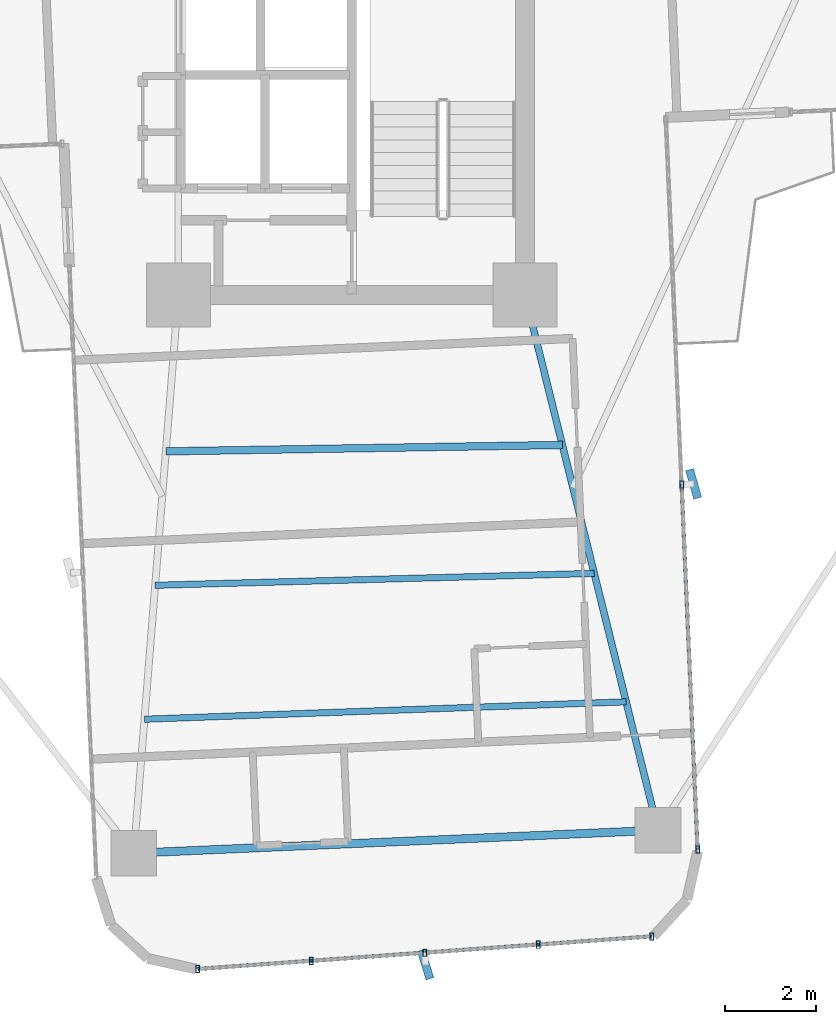
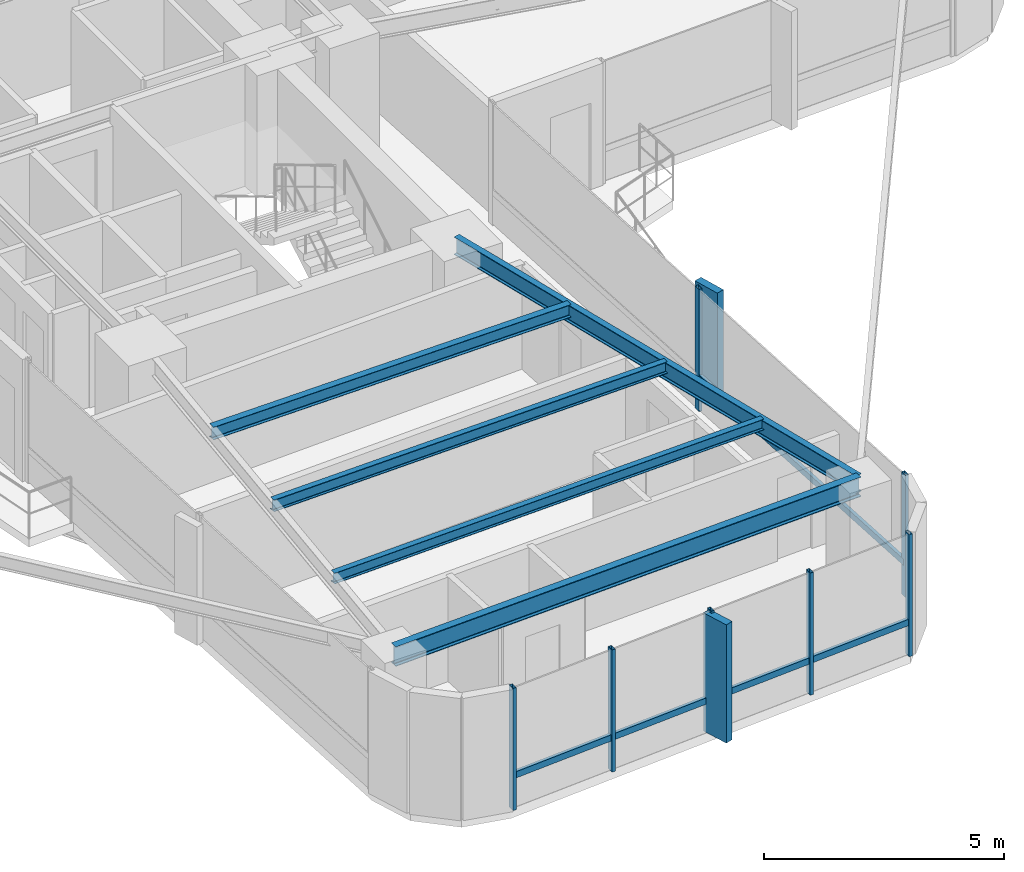
# One storey, part 6 of 27: 14 members, 5 beams, 2 elements without a shape of their own.
"""IFC4 building model written with IfcOpenShell, lengths in metres."""

from ifc_helpers import new_model, si_unit, direction, frame, origin, origin_2d, place, context, subcontext, project, spatial, rectangle, hollow_rectangle, i_section, extrude, source, transform, mapped, material, material_profile, profile_set, type_object, element, aggregate, save


model = new_model("IFC4")

# Units and contexts
model_context = context("Model", 3, precision=1e-05, world=origin(), true_north=direction((0.0, 1.0)))
body_context = subcontext(model_context, "Body", "Model", "MODEL_VIEW")
ifc_project = project(units=[si_unit("LENGTHUNIT", "METRE"), si_unit("AREAUNIT", "SQUARE_METRE"), si_unit("VOLUMEUNIT", "CUBIC_METRE"), si_unit("PLANEANGLEUNIT", "RADIAN"), si_unit("MASSUNIT", "GRAM", prefix="KILO")], contexts=[model_context])

# Site, building, storey
site_placement = place(None, origin())
site = spatial("IfcSite", under=ifc_project, at=site_placement, CompositionType="ELEMENT")
building_placement = place(site_placement, origin())
building = spatial("IfcBuilding", under=site, at=building_placement, Name="Sahyath Konkavel Grand Hotel", CompositionType="ELEMENT")
storey_placement = place(building_placement, frame((0.0, 0.0, 90.199951171875)))
storey = spatial("IfcBuildingStorey", under=building, at=storey_placement, Name="L24", CompositionType="ELEMENT", Elevation=90.199951171875)

# Beams
ifc_material_1 = material(Name="Steel E350", Category="steel")
ifc_material_profile_1 = material_profile(ifc_material_1, i_section(OverallWidth=0.14990234375, OverallDepth=0.449951171875, WebThickness=0.009521484375, FlangeThickness=0.017333984375, FilletRadius=0.014892578125, at=origin_2d()), Name="ISMB 450")
ifc_profile_set_1 = profile_set([ifc_material_profile_1], Name="Steel E350")
beam_type_1 = type_object("IfcBeamType", Name="BM-ISMB450", PredefinedType="BEAM", material=ifc_profile_set_1)
shared_shape_1 = source(origin(), body_context, "Body", "SweptSolid", [
    extrude(i_section(OverallWidth=0.14990234375, OverallDepth=0.449951171875, WebThickness=0.009521484375, FlangeThickness=0.017333984375, FilletRadius=0.014892578125, at=origin_2d()), origin(), (0.0, 0.0, 1.0), 12.084228515625),
])
beam_1_placement = place(storey_placement, frame((3.800048828125, -10.199951171875, 2.885009765625), z_axis=(0.241042688481, -0.970514514229, 0.0), x_axis=(0.970514514229, 0.241042688481, 0.0)))
element("IfcBeam", 1, at=beam_1_placement, inside=storey, type_object=beam_type_1, Name="L24 Cruciform Radial Girder SB", PredefinedType="BEAM", context=body_context, shape_type="MappedRepresentation", body=[
    mapped(shared_shape_1, transform((0.0, 0.0, 0.0), scale=1.0)),
])
ifc_material_profile_2 = material_profile(ifc_material_1, i_section(OverallWidth=0.179931640625, OverallDepth=0.5, WebThickness=0.01025390625, FlangeThickness=0.01708984375, FilletRadius=0.01708984375, at=origin_2d()), Name="ISMB 500")
ifc_profile_set_2 = profile_set([ifc_material_profile_2], Name="Steel E350")
beam_type_2 = type_object("IfcBeamType", Name="BM-ISMB500", PredefinedType="BEAM", material=ifc_profile_set_2)
shared_shape_2 = source(origin(), body_context, "Body", "SweptSolid", [
    extrude(i_section(OverallWidth=0.179931640625, OverallDepth=0.5, WebThickness=0.01025390625, FlangeThickness=0.01708984375, FilletRadius=0.01708984375, at=origin_2d()), origin(), (0.0, 0.0, 1.0), 11.5),
])
beam_2_placement = place(storey_placement, frame((-4.776123046875, -22.4296875, 2.860107421875), z_axis=(0.99904788879, 0.043627008892, 0.0), x_axis=(-0.043627008892, 0.99904788879, 0.0)))
element("IfcBeam", 2, at=beam_2_placement, inside=storey, type_object=beam_type_2, Name="L24 Wing Tip Edge Beam S", PredefinedType="BEAM", context=body_context, shape_type="MappedRepresentation", body=[
    mapped(shared_shape_2, transform((0.0, 0.0, 0.0), scale=1.0)),
])
ifc_material_profile_3 = material_profile(ifc_material_1, i_section(OverallWidth=0.1650390625, OverallDepth=0.324951171875, WebThickness=0.007080078125, FlangeThickness=0.009765625, FilletRadius=0.014892578125, at=origin_2d()), Name="ISLB 325")
ifc_profile_set_3 = profile_set([ifc_material_profile_3], Name="Steel E350")
beam_type_3 = type_object("IfcBeamType", Name="BM-ISLB325", PredefinedType="BEAM", material=ifc_profile_set_3)
shared_shape_3 = source(origin(), body_context, "Body", "SweptSolid", [
    extrude(i_section(OverallWidth=0.1650390625, OverallDepth=0.324951171875, WebThickness=0.007080078125, FlangeThickness=0.009765625, FilletRadius=0.014892578125, at=origin_2d()), origin(), (0.0, 0.0, 1.0), 8.68994140625),
])
beam_3_placement = place(storey_placement, frame((-4.0732421875, -13.624267578125, 2.947509765625), z_axis=(0.999869506431, 0.016154569283, 0.0), x_axis=(-0.016154569283, 0.999869506431, 0.0)))
element("IfcBeam", 3, at=beam_3_placement, inside=storey, type_object=beam_type_3, Name="L24 Secondary Floor Beam S-1", PredefinedType="BEAM", context=body_context, shape_type="MappedRepresentation", body=[
    mapped(shared_shape_3, transform((0.0, 0.0, 0.0), scale=1.0)),
])
ifc_material_profile_4 = material_profile(ifc_material_1, i_section(OverallWidth=0.139892578125, OverallDepth=0.300048828125, WebThickness=0.0078125, FlangeThickness=0.01318359375, FilletRadius=0.013916015625, at=origin_2d()), Name="ISMB 300")
ifc_profile_set_4 = profile_set([ifc_material_profile_4], Name="Steel E350")
beam_type_4 = type_object("IfcBeamType", Name="BM-ISMB300", PredefinedType="BEAM", material=ifc_profile_set_4)
shared_shape_4 = source(origin(), body_context, "Body", "SweptSolid", [
    extrude(i_section(OverallWidth=0.139892578125, OverallDepth=0.300048828125, WebThickness=0.0078125, FlangeThickness=0.01318359375, FilletRadius=0.013916015625, at=origin_2d()), origin(), (0.0, 0.0, 1.0), 9.625732421875),
])
beam_4_placement = place(storey_placement, frame((-4.3076171875, -16.559326171875, 2.9599609375), z_axis=(0.999633060528, 0.027087714933, 0.0), x_axis=(-0.027087714933, 0.999633060528, 0.0)))
element("IfcBeam", 4, at=beam_4_placement, inside=storey, type_object=beam_type_4, Name="L24 Secondary Floor Beam S-2", PredefinedType="BEAM", context=body_context, shape_type="MappedRepresentation", body=[
    mapped(shared_shape_4, transform((0.0, 0.0, 0.0), scale=1.0)),
])
ifc_material_profile_5 = material_profile(ifc_material_1, i_section(OverallWidth=0.139892578125, OverallDepth=0.27490234375, WebThickness=0.00634765625, FlangeThickness=0.0087890625, FilletRadius=0.012939453125, at=origin_2d()), Name="ISLB 275")
ifc_profile_set_5 = profile_set([ifc_material_profile_5], Name="Steel E350")
beam_type_5 = type_object("IfcBeamType", Name="BM-ISLB275", PredefinedType="BEAM", material=ifc_profile_set_5)
shared_shape_5 = source(origin(), body_context, "Body", "SweptSolid", [
    extrude(i_section(OverallWidth=0.139892578125, OverallDepth=0.27490234375, WebThickness=0.00634765625, FlangeThickness=0.0087890625, FilletRadius=0.012939453125, at=origin_2d()), origin(), (0.0, 0.0, 1.0), 10.562744140625),
])
beam_5_placement = place(storey_placement, frame((-4.5419921875, -19.49462890625, 2.97265625), z_axis=(0.999348077295, 0.036102914095, 0.0), x_axis=(-0.036102914095, 0.999348077295, 0.0)))
element("IfcBeam", 5, at=beam_5_placement, inside=storey, type_object=beam_type_5, Name="L24 Secondary Floor Beam S-3", PredefinedType="BEAM", context=body_context, shape_type="MappedRepresentation", body=[
    mapped(shared_shape_5, transform((0.0, 0.0, 0.0), scale=1.0)),
])

# Curtain wall, member
ifc_material_2 = material(Name="Anodised Bronze Aluminium & Low-E Glazing", Category="aluminium")
curtain_wall_type = type_object("IfcCurtainWallType", Name="CW-ZONE2", PredefinedType="NOTDEFINED", material=ifc_material_2)
curtain_wall_1_placement = place(storey_placement, origin())
curtain_wall_1 = element("IfcCurtainWall", 6, at=curtain_wall_1_placement, inside=storey, type_object=curtain_wall_type, Name="L24 Unitised Curtain Wall F28", PredefinedType="NOTDEFINED")
ifc_material_3 = material(Name="Warm Buff Sandstone Cladding on Concrete C50/60", Category="masonry")
ifc_material_profile_6 = material_profile(ifc_material_3, rectangle(XDim=0.179931640625, YDim=0.64990234375, at=origin_2d()), Name="FIN 180x650")
ifc_profile_set_6 = profile_set([ifc_material_profile_6], Name="Warm Buff Sandstone Cladding on Concrete C50/60")
member_type_1 = type_object("IfcMemberType", Name="FIN-SANDSTONE-650", PredefinedType="MULLION", material=ifc_profile_set_6)
shared_shape_6 = source(origin(), body_context, "Body", "SweptSolid", [
    extrude(rectangle(XDim=0.179931640625, YDim=0.64990234375, at=origin_2d()), origin(), (0.0, 0.0, 1.0), 3.010009765625),
])
member_1_placement = place(storey_placement, frame((1.61865234375, -24.872314453125, 0.050048828125), z_axis=(0.0, 0.0, 1.0), x_axis=(0.955278362122, 0.295708050044, 0.0)))
member_1 = element("IfcMember", 7, at=member_1_placement, type_object=member_type_1, Name="L24 Sandstone Vertical Solar Fin FIN F28-2", PredefinedType="MULLION", context=body_context, shape_type="MappedRepresentation", body=[
    mapped(shared_shape_6, transform((0.0, 0.0, 0.0), scale=1.0)),
])

curtain_wall_2_placement = place(storey_placement, origin())
curtain_wall_2 = element("IfcCurtainWall", 8, at=curtain_wall_2_placement, inside=storey, type_object=curtain_wall_type, Name="L24 Unitised Curtain Wall F31", PredefinedType="NOTDEFINED")
member_2_placement = place(storey_placement, frame((7.492431640625, -14.3369140625, 0.050048828125), z_axis=(0.0, 0.0, 1.0), x_axis=(0.961693479997, 0.274127070043, 0.0)))
member_2 = element("IfcMember", 9, at=member_2_placement, type_object=member_type_1, Name="L24 Sandstone Vertical Solar Fin FIN F31-1", PredefinedType="MULLION", context=body_context, shape_type="MappedRepresentation", body=[
    mapped(shared_shape_6, transform((0.0, 0.0, 0.0), scale=1.0)),
])

# Member
ifc_material_4 = material(Name="Anodised Bronze Aluminium", Category="aluminium")
ifc_material_profile_7 = material_profile(ifc_material_4, hollow_rectangle(XDim=0.080078125, YDim=0.159912109375, WallThickness=0.006103515625, at=origin_2d()), Name="RHS 160x80x6")
ifc_profile_set_7 = profile_set([ifc_material_profile_7], Name="Anodised Bronze Aluminium")
member_type_2 = type_object("IfcMemberType", Name="CW-MUL-160", PredefinedType="MULLION", material=ifc_profile_set_7)
shared_shape_7 = source(origin(), body_context, "Body", "SweptSolid", [
    extrude(hollow_rectangle(XDim=0.080078125, YDim=0.159912109375, WallThickness=0.006103515625, at=origin_2d()), origin(), (0.0, 0.0, 1.0), 3.110107421875),
])
member_3_placement = place(storey_placement, frame((-3.3740234375, -24.9697265625, 0.0), z_axis=(0.0, 0.0, 1.0), x_axis=(1.0, 0.0, 0.0)))
member_3 = element("IfcMember", 10, at=member_3_placement, type_object=member_type_2, Name="L24 Curtain Wall Mullion F28-0", PredefinedType="MULLION", context=body_context, shape_type="MappedRepresentation", body=[
    mapped(shared_shape_7, transform((0.0, 0.0, 0.0), scale=1.0)),
])

member_4_placement = place(storey_placement, frame((-0.886962890625, -24.79150390625, 0.0), z_axis=(0.0, 0.0, 1.0), x_axis=(1.0, 0.0, 0.0)))
member_4 = element("IfcMember", 11, at=member_4_placement, type_object=member_type_2, Name="L24 Curtain Wall Mullion F28-1", PredefinedType="MULLION", context=body_context, shape_type="MappedRepresentation", body=[
    mapped(shared_shape_7, transform((0.0, 0.0, 0.0), scale=1.0)),
])

member_5_placement = place(storey_placement, frame((1.60009765625, -24.61279296875, 0.0), z_axis=(0.0, 0.0, 1.0), x_axis=(1.0, 0.0, 0.0)))
member_5 = element("IfcMember", 12, at=member_5_placement, type_object=member_type_2, Name="L24 Curtain Wall Mullion F28-2", PredefinedType="MULLION", context=body_context, shape_type="MappedRepresentation", body=[
    mapped(shared_shape_7, transform((0.0, 0.0, 0.0), scale=1.0)),
])

member_6_placement = place(storey_placement, frame((4.087158203125, -24.4345703125, 0.0), z_axis=(0.0, 0.0, 1.0), x_axis=(1.0, 0.0, 0.0)))
member_6 = element("IfcMember", 13, at=member_6_placement, type_object=member_type_2, Name="L24 Curtain Wall Mullion F28-3", PredefinedType="MULLION", context=body_context, shape_type="MappedRepresentation", body=[
    mapped(shared_shape_7, transform((0.0, 0.0, 0.0), scale=1.0)),
])

member_7_placement = place(storey_placement, frame((6.57421875, -24.256103515625, 0.0), z_axis=(0.0, 0.0, 1.0), x_axis=(1.0, 0.0, 0.0)))
member_7 = element("IfcMember", 14, at=member_7_placement, type_object=member_type_2, Name="L24 Curtain Wall Mullion F28-4", PredefinedType="MULLION", context=body_context, shape_type="MappedRepresentation", body=[
    mapped(shared_shape_7, transform((0.0, 0.0, 0.0), scale=1.0)),
])

member_8_placement = place(storey_placement, frame((7.582275390625, -22.3505859375, 0.0), z_axis=(0.0, 0.0, 1.0), x_axis=(1.0, 0.0, 0.0)))
member_8 = element("IfcMember", 15, at=member_8_placement, type_object=member_type_2, Name="L24 Curtain Wall Mullion F31-0", PredefinedType="MULLION", context=body_context, shape_type="MappedRepresentation", body=[
    mapped(shared_shape_7, transform((0.0, 0.0, 0.0), scale=1.0)),
])

member_9_placement = place(storey_placement, frame((7.232666015625, -14.34814453125, 0.0), z_axis=(0.0, 0.0, 1.0), x_axis=(1.0, 0.0, 0.0)))
member_9 = element("IfcMember", 16, at=member_9_placement, type_object=member_type_2, Name="L24 Curtain Wall Mullion F31-1", PredefinedType="MULLION", context=body_context, shape_type="MappedRepresentation", body=[
    mapped(shared_shape_7, transform((0.0, 0.0, 0.0), scale=1.0)),
])

ifc_material_profile_8 = material_profile(ifc_material_4, hollow_rectangle(XDim=0.080078125, YDim=0.159912109375, WallThickness=0.006103515625, at=origin_2d()), Name="RHS 160x80x6")
ifc_profile_set_8 = profile_set([ifc_material_profile_8], Name="Anodised Bronze Aluminium")
member_type_3 = type_object("IfcMemberType", Name="CW-TRN-160", PredefinedType="USERDEFINED", material=ifc_profile_set_8)
shared_shape_8 = source(origin(), body_context, "Body", "SweptSolid", [
    extrude(hollow_rectangle(XDim=0.080078125, YDim=0.159912109375, WallThickness=0.006103515625, at=origin_2d()), origin(), (0.0, 0.0, 1.0), 2.493408203125),
])
member_10_placement = place(storey_placement, frame((-3.3740234375, -24.9697265625, 0.85009765625), z_axis=(0.997442271688, 0.071476672066, 0.0), x_axis=(-0.071476672066, 0.997442271688, 0.0)))
member_10 = element("IfcMember", 17, at=member_10_placement, type_object=member_type_3, Name="L24 Curtain Wall Transom F28-0-spandrel", ObjectType="TRANSOM", PredefinedType="USERDEFINED", context=body_context, shape_type="MappedRepresentation", body=[
    mapped(shared_shape_8, transform((0.0, 0.0, 0.0), scale=1.0)),
])

member_11_placement = place(storey_placement, frame((-0.886962890625, -24.79150390625, 0.85009765625), z_axis=(0.997428291631, 0.071671494009, 0.0), x_axis=(-0.071671494009, 0.997428291631, 0.0)))
member_11 = element("IfcMember", 18, at=member_11_placement, type_object=member_type_3, Name="L24 Curtain Wall Transom F28-1-spandrel", ObjectType="TRANSOM", PredefinedType="USERDEFINED", context=body_context, shape_type="MappedRepresentation", body=[
    mapped(shared_shape_8, transform((0.0, 0.0, 0.0), scale=1.0)),
])

member_12_placement = place(storey_placement, frame((1.60009765625, -24.61279296875, 0.85009765625), z_axis=(0.997442271688, 0.071476672066, 0.0), x_axis=(-0.071476672066, 0.997442271688, 0.0)))
member_12 = element("IfcMember", 19, at=member_12_placement, type_object=member_type_3, Name="L24 Curtain Wall Transom F28-2-spandrel", ObjectType="TRANSOM", PredefinedType="USERDEFINED", context=body_context, shape_type="MappedRepresentation", body=[
    mapped(shared_shape_8, transform((0.0, 0.0, 0.0), scale=1.0)),
])

member_13_placement = place(storey_placement, frame((4.087158203125, -24.4345703125, 0.85009765625), z_axis=(0.997435286367, 0.071574084062, 0.0), x_axis=(-0.071574084062, 0.997435286367, 0.0)))
member_13 = element("IfcMember", 20, at=member_13_placement, type_object=member_type_3, Name="L24 Curtain Wall Transom F28-3-spandrel", ObjectType="TRANSOM", PredefinedType="USERDEFINED", context=body_context, shape_type="MappedRepresentation", body=[
    mapped(shared_shape_8, transform((0.0, 0.0, 0.0), scale=1.0)),
])

aggregate(curtain_wall_1, [member_3, member_4, member_5, member_1, member_6, member_7, member_10, member_11, member_12, member_13])

shared_shape_9 = source(origin(), body_context, "Body", "SweptSolid", [
    extrude(hollow_rectangle(XDim=0.080078125, YDim=0.159912109375, WallThickness=0.006103515625, at=origin_2d()), origin(), (0.0, 0.0, 1.0), 8.010009765625),
])
member_14_placement = place(storey_placement, frame((7.582275390625, -22.3505859375, 0.85009765625), z_axis=(-0.043646207089, 0.999047050247, 0.0), x_axis=(-0.999047050247, -0.043646207089, 0.0)))
member_14 = element("IfcMember", 21, at=member_14_placement, type_object=member_type_3, Name="L24 Curtain Wall Transom F31-0-spandrel", ObjectType="TRANSOM", PredefinedType="USERDEFINED", context=body_context, shape_type="MappedRepresentation", body=[
    mapped(shared_shape_9, transform((0.0, 0.0, 0.0), scale=1.0)),
])

aggregate(curtain_wall_2, [member_8, member_9, member_2, member_14])

save(model, "model.ifc")
